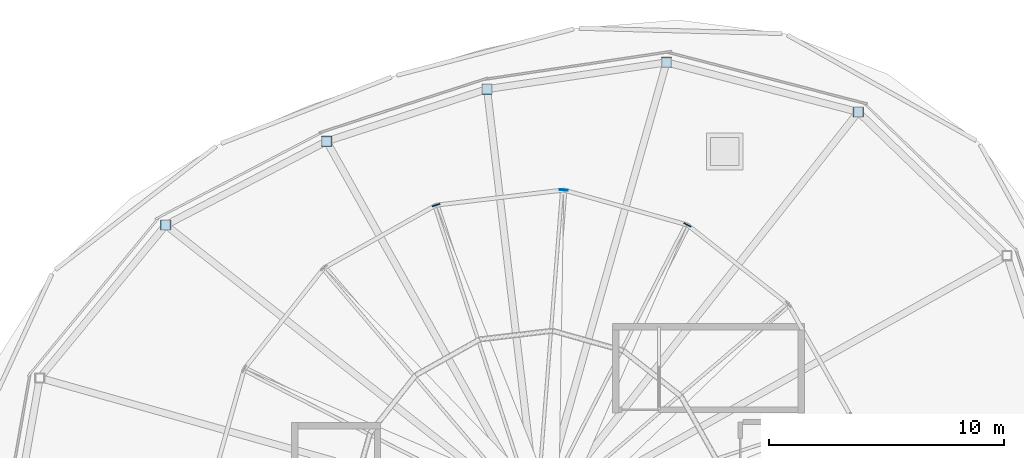
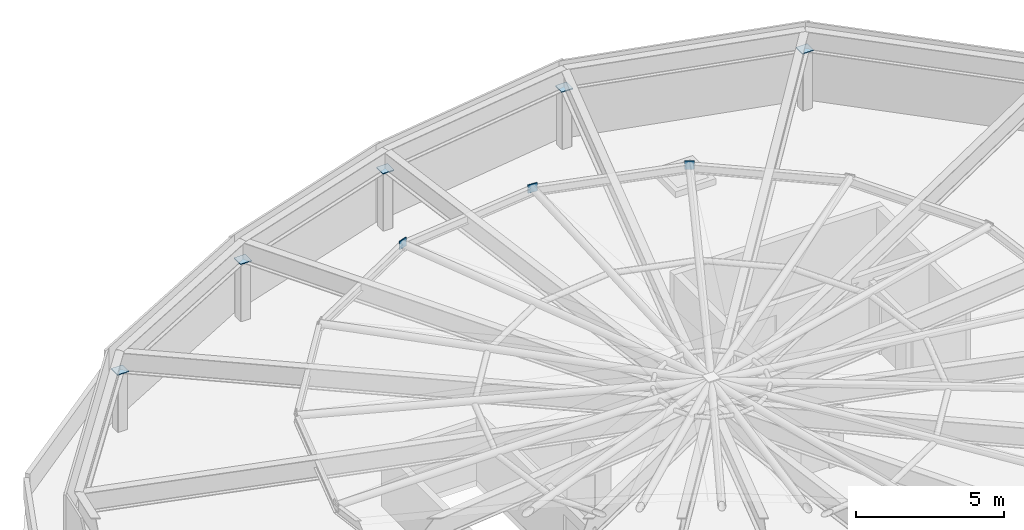
# One storey, part 7 of 9: 8 plates.
"""IFC4 building model written with IfcOpenShell, lengths in metres."""

import ifcopenshell
import ifcopenshell.guid

model = None  # the IFC model being written
_history = None  # IfcOwnerHistory: only IFC2X3 demands one
_inside = {}  # id of a spatial element -> (the spatial element, [elements in it])
_under = {}  # id of a project, library or spatial element -> (it, [spatial elements below it])
_declared = {}  # id of a project -> (the project, [libraries it declares])
_typed = {}  # id of a type object -> (the type object, [elements of that type])
_made_of = {}  # id of a material, layer set ... -> (it, [elements and type objects made of it])


def new_model(schema):
    """Start an empty IFC model of exactly this schema.

    Asked for "IFC4X3", IfcOpenShell would pick the latest addendum, in which some entities
    have other attributes; the version numbers below select the first issue.
    IFC2X3 requires an IfcOwnerHistory on every rooted entity: one is made here for all.
    """
    global model, _history
    if schema == "IFC4X3":
        model = ifcopenshell.file(schema_version=(4, 3, 0, 0))
    else:
        model = ifcopenshell.file(schema=schema)
    _inside.clear()
    _under.clear()
    _declared.clear()
    _typed.clear()
    _made_of.clear()
    _history = None
    if model.schema == "IFC2X3":
        org = make("IfcOrganization", Name="unknown")
        user = make(
            "IfcPersonAndOrganization",
            ThePerson=make("IfcPerson", FamilyName="unknown"),
            TheOrganization=org,
        )
        app = make(
            "IfcApplication",
            ApplicationDeveloper=org,
            Version="unknown",
            ApplicationFullName="unknown",
            ApplicationIdentifier="unknown",
        )
        _history = make(
            "IfcOwnerHistory",
            OwningUser=user,
            OwningApplication=app,
            ChangeAction="ADDED",
            CreationDate=0,
        )
    return model


def make(cls, **values):
    """One entity of the class cls with the attributes given. An attribute that is None is left unset."""
    return model.create_entity(
        cls, **{name: value for name, value in values.items() if value is not None}
    )


def rooted(cls, **values):
    """An entity with a GlobalId (a new one), such as an element, a storey or a relation."""
    return make(cls, GlobalId=ifcopenshell.guid.new(), OwnerHistory=_history, **values)


def si_unit(unit_type, name, prefix=None):
    """IfcSIUnit, for example si_unit("LENGTHUNIT", "METRE", prefix="MILLI")."""
    return make("IfcSIUnit", UnitType=unit_type, Prefix=prefix, Name=name)


def assignment(units):
    """IfcUnitAssignment: the units of a project."""
    return None if units is None else make("IfcUnitAssignment", Units=units)


def point(xyz):
    """IfcCartesianPoint."""
    return None if xyz is None else make("IfcCartesianPoint", Coordinates=xyz)


def direction(xyz):
    """IfcDirection."""
    return None if xyz is None else make("IfcDirection", DirectionRatios=xyz)


def frame(location, z_axis=None, x_axis=None):
    """IfcAxis2Placement3D, a coordinate frame: its origin and axes. An axis left out is left unset."""
    return make(
        "IfcAxis2Placement3D",
        Location=point(location),
        Axis=direction(z_axis),
        RefDirection=direction(x_axis),
    )


def frame_2d(location, x_axis=None):
    """IfcAxis2Placement2D, a coordinate frame in the plane: its origin and x axis."""
    return make(
        "IfcAxis2Placement2D", Location=point(location), RefDirection=direction(x_axis)
    )


def origin():
    """The frame at (0, 0, 0) with its axes left unset."""
    return frame((0.0, 0.0, 0.0))


def origin_2d():
    """The frame at (0, 0) in the plane with its x axis left unset."""
    return frame_2d((0.0, 0.0))


def place(relative_to, where):
    """IfcLocalPlacement: puts the frame where relative to a parent placement (None: the world)."""
    return make(
        "IfcLocalPlacement", PlacementRelTo=relative_to, RelativePlacement=where
    )


def context(
    kind, dimensions, precision=None, world=None, true_north=None, identifier=None
):
    """IfcGeometricRepresentationContext, for example the 3D "Model" context."""
    return make(
        "IfcGeometricRepresentationContext",
        ContextIdentifier=identifier,
        ContextType=kind,
        CoordinateSpaceDimension=dimensions,
        Precision=precision,
        WorldCoordinateSystem=world,
        TrueNorth=true_north,
    )


def subcontext(parent, identifier, kind, view, scale=None):
    """IfcGeometricRepresentationSubContext, for example "Body" below "Model"."""
    return make(
        "IfcGeometricRepresentationSubContext",
        ContextIdentifier=identifier,
        ContextType=kind,
        ParentContext=parent,
        TargetScale=scale,
        TargetView=view,
    )


def project(units=None, contexts=None):
    """IfcProject with its units and contexts."""
    return rooted(
        "IfcProject",
        Name="project",
        RepresentationContexts=contexts,
        UnitsInContext=assignment(units),
    )


def spatial(cls, under=None, at=None, **own):
    """A site, building, storey or space (cls), placed at a placement, below another one or the project."""
    s = rooted(cls, ObjectPlacement=at, **own)
    if under is not None:
        _under.setdefault(under.id(), (under, []))[1].append(s)
    return s


def profile(cls, at=None, kind="AREA", **sizes):
    """A parametric profile (cls). Its sizes go by their IFC names, for example OverallWidth=200.0."""
    return make(cls, ProfileType=kind, Position=at, **sizes)


def rectangle(**sizes):
    """IfcRectangleProfileDef."""
    return profile("IfcRectangleProfileDef", **sizes)


def extrude(swept, where, along, depth):
    """IfcExtrudedAreaSolid: the profile swept, set in the frame where, extruded along a direction by depth."""
    return make(
        "IfcExtrudedAreaSolid",
        SweptArea=swept,
        Position=where,
        ExtrudedDirection=direction(along),
        Depth=depth,
    )


def shape(context_of_items, identifier, shape_type, items):
    """IfcShapeRepresentation: the items that make up one representation, for example the "Body"."""
    return make(
        "IfcShapeRepresentation",
        ContextOfItems=context_of_items,
        RepresentationIdentifier=identifier,
        RepresentationType=shape_type,
        Items=items,
    )


def material(Name=None, Category=None):
    """IfcMaterial."""
    return make("IfcMaterial", Name=Name, Category=Category)


def layer(
    of_material, thickness, ventilated=None, Name=None, Category=None, Priority=None
):
    """IfcMaterialLayer: one layer of a wall or slab, of a material (None: an air gap)."""
    return make(
        "IfcMaterialLayer",
        Material=of_material,
        LayerThickness=thickness,
        IsVentilated=ventilated,
        Name=Name,
        Category=Category,
        Priority=Priority,
    )


def layer_set(layers, Name=None):
    """IfcMaterialLayerSet."""
    return make("IfcMaterialLayerSet", MaterialLayers=layers, LayerSetName=Name)


def made_of(thing, what):
    """Note that an element or type object is made of a material, layer set ...; save() writes the relation."""
    if what is not None:
        _made_of.setdefault(what.id(), (what, []))[1].append(thing)
    return thing


def type_object(cls, material=None, **own):
    """A type object (cls), such as IfcWallType, which elements share."""
    return made_of(rooted(cls, **own), material)


def element(
    cls,
    number,
    at=None,
    inside=None,
    cuts=None,
    type_object=None,
    material=None,
    context=None,
    identifier="Body",
    shape_type=None,
    held_by="IfcProductDefinitionShape",
    body=None,
    shapes=None,
    **own,
):
    """One element of the class cls, such as IfcWall. Its Tag is "e" and its number.

    at: its placement. inside: the storey or other place that contains it. cuts: it is an
    opening in that element (IfcRelVoidsElement). A single representation is given by context,
    identifier, shape_type and body (its items); several are given by shapes. held_by: the class
    of the entity that holds the representations. save() writes the other relations.
    """
    e = rooted(cls, Tag="e%d" % number, ObjectPlacement=at, **own)
    if body is not None:
        shapes = [shape(context, identifier, shape_type, body)]
    if shapes is not None:
        e.Representation = make(held_by, Representations=shapes)
    if inside is not None:
        _inside.setdefault(inside.id(), (inside, []))[1].append(e)
    if cuts is not None:
        rooted(
            "IfcRelVoidsElement", RelatingBuildingElement=cuts, RelatedOpeningElement=e
        )
    if type_object is not None:
        _typed.setdefault(type_object.id(), (type_object, []))[1].append(e)
    return made_of(e, material)


def aggregate(whole, parts):
    """IfcRelAggregates: a whole, such as a stair, and the parts it consists of."""
    return rooted("IfcRelAggregates", RelatingObject=whole, RelatedObjects=parts)


def save(model, path):
    """Write the relations noted so far, then the file.

    IfcRelAggregates (storeys below a building ...), IfcRelContainedInSpatialStructure (elements
    in a storey), IfcRelDefinesByType, IfcRelAssociatesMaterial and IfcRelDeclares: one each for
    every whole, place, type object, material and project.
    """
    for whole, parts in _under.values():
        aggregate(whole, parts)
    for where, things in _inside.values():
        rooted(
            "IfcRelContainedInSpatialStructure",
            RelatedElements=things,
            RelatingStructure=where,
        )
    for kind, things in _typed.values():
        rooted("IfcRelDefinesByType", RelatedObjects=things, RelatingType=kind)
    for what, things in _made_of.values():
        rooted("IfcRelAssociatesMaterial", RelatedObjects=things, RelatingMaterial=what)
    for by, libraries in _declared.values():
        rooted("IfcRelDeclares", RelatingContext=by, RelatedDefinitions=libraries)
    model.write(path)


model = new_model("IFC4")

# Units and contexts
model_context = context("Model", 3, precision=1e-05, world=origin(), true_north=direction((0.0, 1.0)))
body_context = subcontext(model_context, "Body", "Model", "MODEL_VIEW")
ifc_project = project(units=[si_unit("LENGTHUNIT", "METRE"), si_unit("AREAUNIT", "SQUARE_METRE"), si_unit("VOLUMEUNIT", "CUBIC_METRE"), si_unit("PLANEANGLEUNIT", "RADIAN"), si_unit("MASSUNIT", "GRAM", prefix="KILO")], contexts=[model_context])

# Site, building, storey
site_placement = place(None, origin())
site = spatial("IfcSite", under=ifc_project, at=site_placement, CompositionType="ELEMENT")
building_placement = place(site_placement, origin())
building = spatial("IfcBuilding", under=site, at=building_placement, Name="Kazma Halo Residences", CompositionType="ELEMENT")
storey_placement = place(building_placement, frame((0.0, 0.0, 377.60009765625)))
storey = spatial("IfcBuildingStorey", under=building, at=storey_placement, Name="Roof", CompositionType="ELEMENT", Elevation=377.60009765625)

# Plates
ifc_material = material(Name="Steel S355", Category="steel")
ifc_layer = layer(ifc_material, 0.0400390625)
ifc_layer_set = layer_set([ifc_layer], Name="Steel S355")
plate_type = type_object("IfcPlateType", Name="PLT-GUSSET-40", PredefinedType="SHEET", material=ifc_layer_set)
for number, where, z_axis, x_axis, name in (
    (1, (61.617431640625, 59.273681640625, 2.35400390625), (0.0, 0.0, 1.0), (1.0, 0.0, 0.0), "Crown post welded steel cap plate 02"),
    (2, (53.46630859375, 61.38232421875, 2.35400390625), (0.0, 0.0, 1.0), (1.0, 0.0, 0.0), "Crown post welded steel cap plate 03"),
    (3, (45.8408203125, 60.24365234375, 2.35400390625), (0.0, 0.0, 1.0), (1.0, 0.0, 0.0), "Crown post welded steel cap plate 04"),
    (4, (39.0234375, 58.02880859375, 2.35400390625), (0.0, 0.0, 1.0), (1.0, 0.0, 0.0), "Crown post welded steel cap plate 05"),
    (5, (32.184814453125, 54.467529296875, 2.35400390625), (0.0, 0.0, 1.0), (1.0, 0.0, 0.0), "Crown post welded steel cap plate 06"),
):
    element("IfcPlate", number, at=place(storey_placement, frame(where, z_axis=z_axis, x_axis=x_axis)), inside=storey, type_object=plate_type, Name=name, PredefinedType="SHEET", context=body_context, shape_type="SweptSolid", body=[
        extrude(rectangle(XDim=0.43994140625, YDim=0.43994140625, at=origin_2d()), origin(), (0.0, 0.0, 1.0), 0.0400390625),
    ])
for number, where, z_axis, x_axis, name in (
    (6, (54.35595703125, 54.47412109375, 2.8896484375), (0.0, 0.0, 1.0), (0.45399049974, 0.891006524188, 0.0), "Skylight rafter outer welded end-cap plate 03"),
    (7, (49.098388671875, 55.956787109375, 2.8896484375), (0.0, 0.0, 1.0), (0.078459095728, 0.996917333733, 0.0), "Skylight rafter outer welded end-cap plate 04"),
    (8, (43.673828125, 55.314697265625, 2.8896484375), (0.0, 0.0, 1.0), (-0.309016994375, 0.951056516295, 0.0), "Skylight rafter outer welded end-cap plate 05"),
):
    element("IfcPlate", number, at=place(storey_placement, frame(where, z_axis=z_axis, x_axis=x_axis)), inside=storey, type_object=plate_type, Name=name, PredefinedType="SHEET", context=body_context, shape_type="SweptSolid", body=[
        extrude(rectangle(XDim=0.0400390625, YDim=0.340087890625, at=origin_2d()), origin(), (0.0, 0.0, 1.0), 0.340087890625),
    ])

save(model, "model.ifc")
